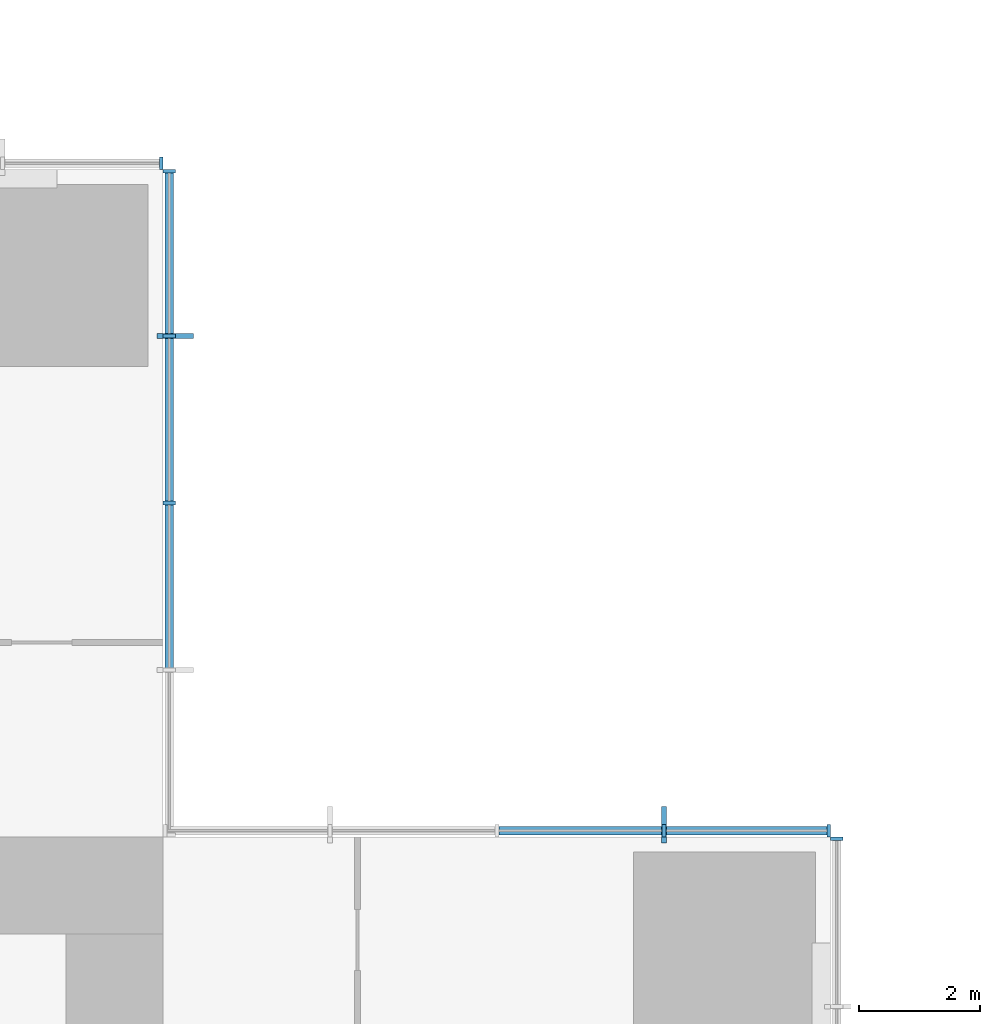
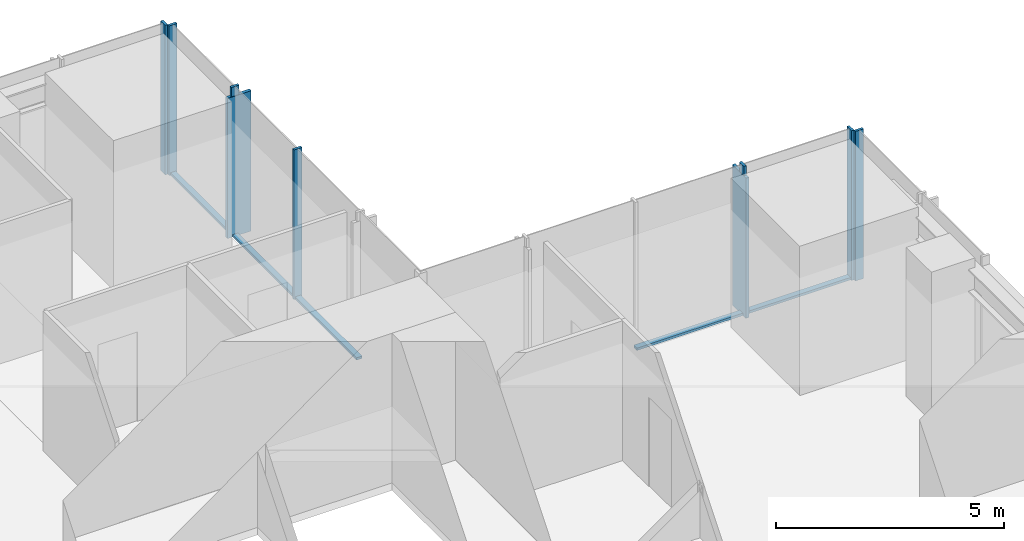
# One storey, part 6 of 13: 14 members, 4 elements without a shape of their own.
"""IFC4 building model written with IfcOpenShell, lengths in metres."""

from ifc_helpers import new_model, si_unit, direction, frame, origin, origin_2d, place, context, subcontext, project, spatial, rectangle, extrude, material, material_profile, profile_set, type_object, element, aggregate, save


model = new_model("IFC4")

# Units and contexts
model_context = context("Model", 3, precision=1e-05, world=origin(), true_north=direction((0.0, 1.0)))
body_context = subcontext(model_context, "Body", "Model", "MODEL_VIEW")
ifc_project = project(units=[si_unit("LENGTHUNIT", "METRE"), si_unit("AREAUNIT", "SQUARE_METRE"), si_unit("VOLUMEUNIT", "CUBIC_METRE"), si_unit("PLANEANGLEUNIT", "RADIAN"), si_unit("MASSUNIT", "GRAM", prefix="KILO")], contexts=[model_context])

# Site, building, storey
site_placement = place(None, origin())
site = spatial("IfcSite", under=ifc_project, at=site_placement, CompositionType="ELEMENT")
building_placement = place(site_placement, origin())
building = spatial("IfcBuilding", under=site, at=building_placement, Name="Svetlomir Tower", CompositionType="ELEMENT")
storey_placement = place(building_placement, frame((0.0, 0.0, 132.5)))
storey = spatial("IfcBuildingStorey", under=building, at=storey_placement, Name="L31", CompositionType="ELEMENT", Elevation=132.5)

# Curtain wall, member
ifc_material_1 = material(Name="Bronze anodised aluminium curtain wall", Category="aluminium")
curtain_wall_type = type_object("IfcCurtainWallType", Name="CURTAIN WALL CW1 TOWER OFFICE", PredefinedType="NOTDEFINED", material=ifc_material_1)
curtain_wall_1_placement = place(storey_placement, origin())
curtain_wall_1 = element("IfcCurtainWall", 1, at=curtain_wall_1_placement, inside=storey, type_object=curtain_wall_type, Name="Curtain wall CW1 L31", PredefinedType="NOTDEFINED")
ifc_material_2 = material(Name="Bronze anodised aluminium", Category="aluminium")
ifc_material_profile_1 = material_profile(ifc_material_2, rectangle(XDim=0.080078125, YDim=0.60009765625, at=origin_2d()), Name="FIN 80x600")
ifc_profile_set_1 = profile_set([ifc_material_profile_1], Name="Bronze anodised aluminium 6063-T6")
member_type_1 = type_object("IfcMemberType", Name="BRONZE FIN 80x600", PredefinedType="USERDEFINED", material=ifc_profile_set_1)
member_1_placement = place(storey_placement, frame((39.25, 31.199951171875, 0.0), z_axis=(0.0, 0.0, 1.0), x_axis=(1.0, 0.0, 0.0)))
member_1 = element("IfcMember", 2, at=member_1_placement, type_object=member_type_1, Name="Bronze fin L31", ObjectType="FIN", PredefinedType="USERDEFINED", context=body_context, shape_type="SweptSolid", body=[
    extrude(rectangle(XDim=0.080078125, YDim=0.60009765625, at=origin_2d()), origin(), (0.0, 0.0, 1.0), 3.75),
])

curtain_wall_2_placement = place(storey_placement, origin())
curtain_wall_2 = element("IfcCurtainWall", 3, at=curtain_wall_2_placement, inside=storey, type_object=curtain_wall_type, Name="Curtain wall CW1 L31", PredefinedType="NOTDEFINED")
member_2_placement = place(storey_placement, frame((31.199951171875, 39.25, 0.0), z_axis=(0.0, 0.0, 1.0), x_axis=(0.0, 1.0, 0.0)))
member_2 = element("IfcMember", 4, at=member_2_placement, type_object=member_type_1, Name="Bronze fin L31", ObjectType="FIN", PredefinedType="USERDEFINED", context=body_context, shape_type="SweptSolid", body=[
    extrude(rectangle(XDim=0.080078125, YDim=0.60009765625, at=origin_2d()), origin(), (0.0, 0.0, 1.0), 3.75),
])

curtain_wall_3_placement = place(storey_placement, origin())
curtain_wall_3 = element("IfcCurtainWall", 5, at=curtain_wall_3_placement, inside=storey, type_object=curtain_wall_type, Name="Curtain wall CW1 L31", PredefinedType="NOTDEFINED")
ifc_material_3 = material(Name="Bronze anodised aluminium", Category="aluminium")
ifc_material_profile_2 = material_profile(ifc_material_3, rectangle(XDim=0.06494140625, YDim=0.199951171875, at=origin_2d()), Name="AL 65x200")
ifc_profile_set_2 = profile_set([ifc_material_profile_2], Name="Bronze anodised aluminium 6063-T6")
member_type_2 = type_object("IfcMemberType", Name="CW1 MULLION 65x200", PredefinedType="MULLION", material=ifc_profile_set_2)
member_3_placement = place(storey_placement, frame((42.10009765625, 30.967529296875, 0.0), z_axis=(0.0, 0.0, 1.0), x_axis=(0.0, 1.0, 0.0)))
member_3 = element("IfcMember", 6, at=member_3_placement, type_object=member_type_2, Name="CW1 mullion 3", PredefinedType="MULLION", context=body_context, shape_type="SweptSolid", body=[
    extrude(rectangle(XDim=0.06494140625, YDim=0.199951171875, at=origin_2d()), origin(), (0.0, 0.0, 1.0), 4.0),
])
aggregate(curtain_wall_3, [member_3])

# Member
member_4_placement = place(storey_placement, frame((41.967529296875, 31.10009765625, 0.0), z_axis=(0.0, 0.0, 1.0), x_axis=(-1.0, 0.0, 0.0)))
member_4 = element("IfcMember", 7, at=member_4_placement, type_object=member_type_2, Name="CW1 mullion 1", PredefinedType="MULLION", context=body_context, shape_type="SweptSolid", body=[
    extrude(rectangle(XDim=0.06494140625, YDim=0.199951171875, at=origin_2d()), origin(), (0.0, 0.0, 1.0), 4.0),
])

member_5_placement = place(storey_placement, frame((39.25, 31.10009765625, 0.0), z_axis=(0.0, 0.0, 1.0), x_axis=(-1.0, 0.0, 0.0)))
member_5 = element("IfcMember", 8, at=member_5_placement, type_object=member_type_2, Name="CW1 mullion 2", PredefinedType="MULLION", context=body_context, shape_type="SweptSolid", body=[
    extrude(rectangle(XDim=0.06494140625, YDim=0.199951171875, at=origin_2d()), origin(), (0.0, 0.0, 1.0), 4.0),
])

member_6_placement = place(storey_placement, frame((31.10009765625, 36.5, 0.0), z_axis=(0.0, 0.0, 1.0), x_axis=(0.0, 1.0, 0.0)))
member_6 = element("IfcMember", 9, at=member_6_placement, type_object=member_type_2, Name="CW1 mullion 3", PredefinedType="MULLION", context=body_context, shape_type="SweptSolid", body=[
    extrude(rectangle(XDim=0.06494140625, YDim=0.199951171875, at=origin_2d()), origin(), (0.0, 0.0, 1.0), 4.0),
])

member_7_placement = place(storey_placement, frame((31.10009765625, 39.25, 0.0), z_axis=(0.0, 0.0, 1.0), x_axis=(0.0, 1.0, 0.0)))
member_7 = element("IfcMember", 10, at=member_7_placement, type_object=member_type_2, Name="CW1 mullion 4", PredefinedType="MULLION", context=body_context, shape_type="SweptSolid", body=[
    extrude(rectangle(XDim=0.06494140625, YDim=0.199951171875, at=origin_2d()), origin(), (0.0, 0.0, 1.0), 4.0),
])

member_8_placement = place(storey_placement, frame((31.10009765625, 41.967529296875, 0.0), z_axis=(0.0, 0.0, 1.0), x_axis=(0.0, 1.0, 0.0)))
member_8 = element("IfcMember", 11, at=member_8_placement, type_object=member_type_2, Name="CW1 mullion 5", PredefinedType="MULLION", context=body_context, shape_type="SweptSolid", body=[
    extrude(rectangle(XDim=0.06494140625, YDim=0.199951171875, at=origin_2d()), origin(), (0.0, 0.0, 1.0), 4.0),
])

# Curtain wall, member
curtain_wall_4_placement = place(storey_placement, origin())
curtain_wall_4 = element("IfcCurtainWall", 12, at=curtain_wall_4_placement, inside=storey, type_object=curtain_wall_type, Name="Curtain wall CW1 L31", PredefinedType="NOTDEFINED")
member_9_placement = place(storey_placement, frame((30.967529296875, 42.10009765625, 0.0), z_axis=(0.0, 0.0, 1.0), x_axis=(-1.0, 0.0, 0.0)))
member_9 = element("IfcMember", 13, at=member_9_placement, type_object=member_type_2, Name="CW1 mullion 1", PredefinedType="MULLION", context=body_context, shape_type="SweptSolid", body=[
    extrude(rectangle(XDim=0.06494140625, YDim=0.199951171875, at=origin_2d()), origin(), (0.0, 0.0, 1.0), 4.0),
])
aggregate(curtain_wall_4, [member_9])

# Member
ifc_material_4 = material(Name="Bronze anodised aluminium", Category="aluminium")
ifc_material_profile_3 = material_profile(ifc_material_4, rectangle(XDim=0.139892578125, YDim=0.06494140625, at=origin_2d()), Name="AL 140x65")
ifc_profile_set_3 = profile_set([ifc_material_profile_3], Name="Bronze anodised aluminium 6063-T6")
member_type_3 = type_object("IfcMemberType", Name="CW1 TRANSOM 65x140", PredefinedType="USERDEFINED", material=ifc_profile_set_3)
member_10_placement = place(storey_placement, frame((41.93505859375, 31.10009765625, 0.032470703125), z_axis=(-1.0, 0.0, 0.0), x_axis=(0.0, -1.0, 0.0)))
member_10 = element("IfcMember", 14, at=member_10_placement, type_object=member_type_3, Name="CW1 transom 1.1", ObjectType="TRANSOM", PredefinedType="USERDEFINED", context=body_context, shape_type="SweptSolid", body=[
    extrude(rectangle(XDim=0.139892578125, YDim=0.06494140625, at=origin_2d()), origin(), (0.0, 0.0, 1.0), 2.652587890625),
])

member_11_placement = place(storey_placement, frame((39.217529296875, 31.10009765625, 0.032470703125), z_axis=(-1.0, 0.0, 0.0), x_axis=(0.0, -1.0, 0.0)))
member_11 = element("IfcMember", 15, at=member_11_placement, type_object=member_type_3, Name="CW1 transom 2.1", ObjectType="TRANSOM", PredefinedType="USERDEFINED", context=body_context, shape_type="SweptSolid", body=[
    extrude(rectangle(XDim=0.139892578125, YDim=0.06494140625, at=origin_2d()), origin(), (0.0, 0.0, 1.0), 2.68505859375),
])

aggregate(curtain_wall_1, [member_4, member_5, member_10, member_11, member_1])

member_12_placement = place(storey_placement, frame((31.10009765625, 33.782470703125, 0.032470703125), z_axis=(0.0, 1.0, 0.0), x_axis=(-1.0, 0.0, 0.0)))
member_12 = element("IfcMember", 16, at=member_12_placement, type_object=member_type_3, Name="CW1 transom 2.1", ObjectType="TRANSOM", PredefinedType="USERDEFINED", context=body_context, shape_type="SweptSolid", body=[
    extrude(rectangle(XDim=0.139892578125, YDim=0.06494140625, at=origin_2d()), origin(), (0.0, 0.0, 1.0), 2.68505859375),
])

member_13_placement = place(storey_placement, frame((31.10009765625, 36.532470703125, 0.032470703125), z_axis=(0.0, 1.0, 0.0), x_axis=(-1.0, 0.0, 0.0)))
member_13 = element("IfcMember", 17, at=member_13_placement, type_object=member_type_3, Name="CW1 transom 3.1", ObjectType="TRANSOM", PredefinedType="USERDEFINED", context=body_context, shape_type="SweptSolid", body=[
    extrude(rectangle(XDim=0.139892578125, YDim=0.06494140625, at=origin_2d()), origin(), (0.0, 0.0, 1.0), 2.68505859375),
])

member_14_placement = place(storey_placement, frame((31.10009765625, 39.282470703125, 0.032470703125), z_axis=(0.0, 1.0, 0.0), x_axis=(-1.0, 0.0, 0.0)))
member_14 = element("IfcMember", 18, at=member_14_placement, type_object=member_type_3, Name="CW1 transom 4.1", ObjectType="TRANSOM", PredefinedType="USERDEFINED", context=body_context, shape_type="SweptSolid", body=[
    extrude(rectangle(XDim=0.139892578125, YDim=0.06494140625, at=origin_2d()), origin(), (0.0, 0.0, 1.0), 2.652587890625),
])

aggregate(curtain_wall_2, [member_6, member_7, member_8, member_12, member_13, member_14, member_2])

save(model, "model.ifc")
